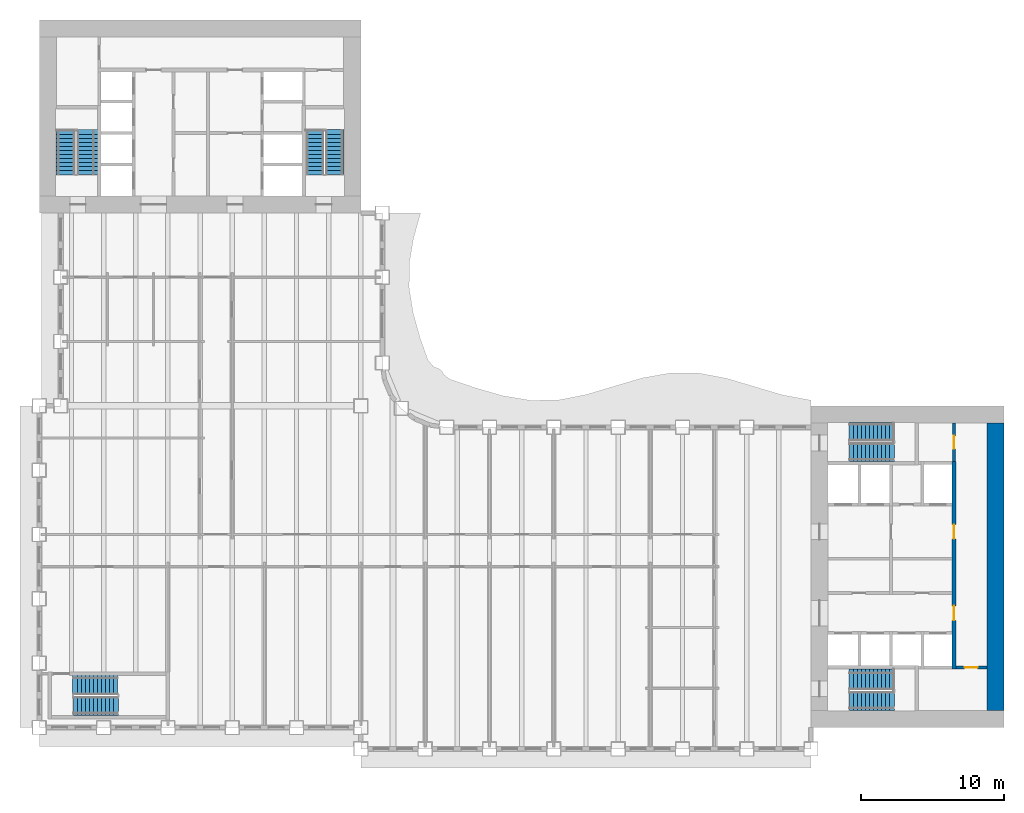
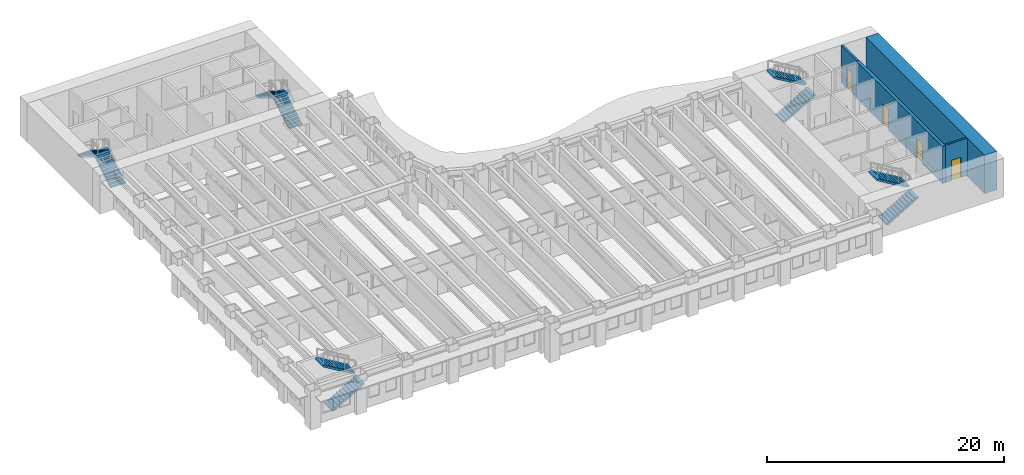
# One storey, part 10 of 16: 10 stair flights, 4 doors, 4 walls, 4 openings, 5 elements without a shape of their own.
"""IFC4 building model written with IfcOpenShell, lengths in metres."""

import ifcopenshell
import ifcopenshell.guid

model = None  # the IFC model being written
_history = None  # IfcOwnerHistory: only IFC2X3 demands one
_inside = {}  # id of a spatial element -> (the spatial element, [elements in it])
_under = {}  # id of a project, library or spatial element -> (it, [spatial elements below it])
_declared = {}  # id of a project -> (the project, [libraries it declares])
_typed = {}  # id of a type object -> (the type object, [elements of that type])
_made_of = {}  # id of a material, layer set ... -> (it, [elements and type objects made of it])


def new_model(schema):
    """Start an empty IFC model of exactly this schema.

    Asked for "IFC4X3", IfcOpenShell would pick the latest addendum, in which some entities
    have other attributes; the version numbers below select the first issue.
    IFC2X3 requires an IfcOwnerHistory on every rooted entity: one is made here for all.
    """
    global model, _history
    if schema == "IFC4X3":
        model = ifcopenshell.file(schema_version=(4, 3, 0, 0))
    else:
        model = ifcopenshell.file(schema=schema)
    _inside.clear()
    _under.clear()
    _declared.clear()
    _typed.clear()
    _made_of.clear()
    _history = None
    if model.schema == "IFC2X3":
        org = make("IfcOrganization", Name="unknown")
        user = make(
            "IfcPersonAndOrganization",
            ThePerson=make("IfcPerson", FamilyName="unknown"),
            TheOrganization=org,
        )
        app = make(
            "IfcApplication",
            ApplicationDeveloper=org,
            Version="unknown",
            ApplicationFullName="unknown",
            ApplicationIdentifier="unknown",
        )
        _history = make(
            "IfcOwnerHistory",
            OwningUser=user,
            OwningApplication=app,
            ChangeAction="ADDED",
            CreationDate=0,
        )
    return model


def make(cls, **values):
    """One entity of the class cls with the attributes given. An attribute that is None is left unset."""
    return model.create_entity(
        cls, **{name: value for name, value in values.items() if value is not None}
    )


def rooted(cls, **values):
    """An entity with a GlobalId (a new one), such as an element, a storey or a relation."""
    return make(cls, GlobalId=ifcopenshell.guid.new(), OwnerHistory=_history, **values)


def si_unit(unit_type, name, prefix=None):
    """IfcSIUnit, for example si_unit("LENGTHUNIT", "METRE", prefix="MILLI")."""
    return make("IfcSIUnit", UnitType=unit_type, Prefix=prefix, Name=name)


def assignment(units):
    """IfcUnitAssignment: the units of a project."""
    return None if units is None else make("IfcUnitAssignment", Units=units)


def point(xyz):
    """IfcCartesianPoint."""
    return None if xyz is None else make("IfcCartesianPoint", Coordinates=xyz)


def direction(xyz):
    """IfcDirection."""
    return None if xyz is None else make("IfcDirection", DirectionRatios=xyz)


def frame(location, z_axis=None, x_axis=None):
    """IfcAxis2Placement3D, a coordinate frame: its origin and axes. An axis left out is left unset."""
    return make(
        "IfcAxis2Placement3D",
        Location=point(location),
        Axis=direction(z_axis),
        RefDirection=direction(x_axis),
    )


def frame_2d(location, x_axis=None):
    """IfcAxis2Placement2D, a coordinate frame in the plane: its origin and x axis."""
    return make(
        "IfcAxis2Placement2D", Location=point(location), RefDirection=direction(x_axis)
    )


def origin():
    """The frame at (0, 0, 0) with its axes left unset."""
    return frame((0.0, 0.0, 0.0))


def place(relative_to, where):
    """IfcLocalPlacement: puts the frame where relative to a parent placement (None: the world)."""
    return make(
        "IfcLocalPlacement", PlacementRelTo=relative_to, RelativePlacement=where
    )


def context(
    kind, dimensions, precision=None, world=None, true_north=None, identifier=None
):
    """IfcGeometricRepresentationContext, for example the 3D "Model" context."""
    return make(
        "IfcGeometricRepresentationContext",
        ContextIdentifier=identifier,
        ContextType=kind,
        CoordinateSpaceDimension=dimensions,
        Precision=precision,
        WorldCoordinateSystem=world,
        TrueNorth=true_north,
    )


def subcontext(parent, identifier, kind, view, scale=None):
    """IfcGeometricRepresentationSubContext, for example "Body" below "Model"."""
    return make(
        "IfcGeometricRepresentationSubContext",
        ContextIdentifier=identifier,
        ContextType=kind,
        ParentContext=parent,
        TargetScale=scale,
        TargetView=view,
    )


def project(units=None, contexts=None):
    """IfcProject with its units and contexts."""
    return rooted(
        "IfcProject",
        Name="project",
        RepresentationContexts=contexts,
        UnitsInContext=assignment(units),
    )


def spatial(cls, under=None, at=None, **own):
    """A site, building, storey or space (cls), placed at a placement, below another one or the project."""
    s = rooted(cls, ObjectPlacement=at, **own)
    if under is not None:
        _under.setdefault(under.id(), (under, []))[1].append(s)
    return s


def polyline(points):
    """IfcPolyline through the points."""
    return make("IfcPolyline", Points=[point(p) for p in points])


def profile(cls, at=None, kind="AREA", **sizes):
    """A parametric profile (cls). Its sizes go by their IFC names, for example OverallWidth=200.0."""
    return make(cls, ProfileType=kind, Position=at, **sizes)


def rectangle(**sizes):
    """IfcRectangleProfileDef."""
    return profile("IfcRectangleProfileDef", **sizes)


def outline(outer, holes=None, kind="AREA"):
    """IfcArbitraryClosedProfileDef: a profile drawn as a closed curve; with holes, ...WithVoids."""
    if holes is None:
        return make("IfcArbitraryClosedProfileDef", ProfileType=kind, OuterCurve=outer)
    return make(
        "IfcArbitraryProfileDefWithVoids",
        ProfileType=kind,
        OuterCurve=outer,
        InnerCurves=holes,
    )


def extrude(swept, where, along, depth):
    """IfcExtrudedAreaSolid: the profile swept, set in the frame where, extruded along a direction by depth."""
    return make(
        "IfcExtrudedAreaSolid",
        SweptArea=swept,
        Position=where,
        ExtrudedDirection=direction(along),
        Depth=depth,
    )


def shape(context_of_items, identifier, shape_type, items):
    """IfcShapeRepresentation: the items that make up one representation, for example the "Body"."""
    return make(
        "IfcShapeRepresentation",
        ContextOfItems=context_of_items,
        RepresentationIdentifier=identifier,
        RepresentationType=shape_type,
        Items=items,
    )


def material(Name=None, Category=None):
    """IfcMaterial."""
    return make("IfcMaterial", Name=Name, Category=Category)


def layer(
    of_material, thickness, ventilated=None, Name=None, Category=None, Priority=None
):
    """IfcMaterialLayer: one layer of a wall or slab, of a material (None: an air gap)."""
    return make(
        "IfcMaterialLayer",
        Material=of_material,
        LayerThickness=thickness,
        IsVentilated=ventilated,
        Name=Name,
        Category=Category,
        Priority=Priority,
    )


def layer_set(layers, Name=None):
    """IfcMaterialLayerSet."""
    return make("IfcMaterialLayerSet", MaterialLayers=layers, LayerSetName=Name)


def made_of(thing, what):
    """Note that an element or type object is made of a material, layer set ...; save() writes the relation."""
    if what is not None:
        _made_of.setdefault(what.id(), (what, []))[1].append(thing)
    return thing


def type_object(cls, material=None, **own):
    """A type object (cls), such as IfcWallType, which elements share."""
    return made_of(rooted(cls, **own), material)


def element(
    cls,
    number,
    at=None,
    inside=None,
    cuts=None,
    type_object=None,
    material=None,
    context=None,
    identifier="Body",
    shape_type=None,
    held_by="IfcProductDefinitionShape",
    body=None,
    shapes=None,
    **own,
):
    """One element of the class cls, such as IfcWall. Its Tag is "e" and its number.

    at: its placement. inside: the storey or other place that contains it. cuts: it is an
    opening in that element (IfcRelVoidsElement). A single representation is given by context,
    identifier, shape_type and body (its items); several are given by shapes. held_by: the class
    of the entity that holds the representations. save() writes the other relations.
    """
    e = rooted(cls, Tag="e%d" % number, ObjectPlacement=at, **own)
    if body is not None:
        shapes = [shape(context, identifier, shape_type, body)]
    if shapes is not None:
        e.Representation = make(held_by, Representations=shapes)
    if inside is not None:
        _inside.setdefault(inside.id(), (inside, []))[1].append(e)
    if cuts is not None:
        rooted(
            "IfcRelVoidsElement", RelatingBuildingElement=cuts, RelatedOpeningElement=e
        )
    if type_object is not None:
        _typed.setdefault(type_object.id(), (type_object, []))[1].append(e)
    return made_of(e, material)


def fill(opening, filler):
    """IfcRelFillsElement: the door or window that sits in an opening."""
    return rooted(
        "IfcRelFillsElement",
        RelatingOpeningElement=opening,
        RelatedBuildingElement=filler,
    )


def aggregate(whole, parts):
    """IfcRelAggregates: a whole, such as a stair, and the parts it consists of."""
    return rooted("IfcRelAggregates", RelatingObject=whole, RelatedObjects=parts)


def save(model, path):
    """Write the relations noted so far, then the file.

    IfcRelAggregates (storeys below a building ...), IfcRelContainedInSpatialStructure (elements
    in a storey), IfcRelDefinesByType, IfcRelAssociatesMaterial and IfcRelDeclares: one each for
    every whole, place, type object, material and project.
    """
    for whole, parts in _under.values():
        aggregate(whole, parts)
    for where, things in _inside.values():
        rooted(
            "IfcRelContainedInSpatialStructure",
            RelatedElements=things,
            RelatingStructure=where,
        )
    for kind, things in _typed.values():
        rooted("IfcRelDefinesByType", RelatedObjects=things, RelatingType=kind)
    for what, things in _made_of.values():
        rooted("IfcRelAssociatesMaterial", RelatedObjects=things, RelatingMaterial=what)
    for by, libraries in _declared.values():
        rooted("IfcRelDeclares", RelatingContext=by, RelatedDefinitions=libraries)
    model.write(path)


model = new_model("IFC4")

# Units and contexts
model_context = context("Model", 3, precision=1e-05, world=origin(), true_north=direction((0.0, 1.0)))
body_context = subcontext(model_context, "Body", "Model", "MODEL_VIEW")
ifc_project = project(units=[si_unit("LENGTHUNIT", "METRE"), si_unit("AREAUNIT", "SQUARE_METRE"), si_unit("VOLUMEUNIT", "CUBIC_METRE"), si_unit("PLANEANGLEUNIT", "RADIAN"), si_unit("MASSUNIT", "GRAM", prefix="KILO")], contexts=[model_context])

# Site, building, storey
site_placement = place(None, origin())
site = spatial("IfcSite", under=ifc_project, at=site_placement, CompositionType="ELEMENT")
building_placement = place(site_placement, origin())
building = spatial("IfcBuilding", under=site, at=building_placement, Name="Sennacour Bend Tower", CompositionType="ELEMENT")
storey_placement = place(building_placement, frame((0.0, 0.0, 87.0)))
storey = spatial("IfcBuildingStorey", under=building, at=storey_placement, Name="L19", CompositionType="ELEMENT", Elevation=87.0)

# Wall
ifc_material_1 = material(Name="Concrete C80/95", Category="concrete")
ifc_layer_1 = layer(ifc_material_1, 1.199951171875, Name="Concrete C80/95", Category="concrete")
ifc_layer_set_1 = layer_set([ifc_layer_1], Name="Concrete C80/95")
wall_type_1 = type_object("IfcWallType", Name="Core wall 1200 C80/95", PredefinedType="SHEAR", material=ifc_layer_set_1)
wall_1_placement = place(storey_placement, frame((66.89990234375, 1.199951171875, -0.14990234375), z_axis=(0.0, 0.0, 1.0), x_axis=(0.0, 1.0, 0.0)))
element("IfcWall", 1, at=wall_1_placement, inside=storey, type_object=wall_type_1, Name="Core A wall L19 E", PredefinedType="SHEAR", context=body_context, shape_type="SweptSolid", body=[
    extrude(rectangle(XDim=20.10009765625, YDim=1.199951171875, at=frame_2d((10.050048828125, 0.0))), origin(), (0.0, 0.0, 1.0), 4.0),
])

# Wall, opening, door
ifc_material_2 = material(Name="Fire-rated plasterboard partition on steel studs", Category="steel")
ifc_layer_2 = layer(ifc_material_2, 0.199951171875, Name="Fire-rated plasterboard partition on steel studs", Category="steel")
ifc_layer_set_2 = layer_set([ifc_layer_2], Name="Fire-rated plasterboard partition on steel studs")
wall_type_2 = type_object("IfcWallType", Name="Rated partition 200", PredefinedType="PARTITIONING", material=ifc_layer_set_2)
wall_2_placement = place(storey_placement, frame((64.0, 18.60009765625, 0.0), z_axis=(0.0, 0.0, 1.0), x_axis=(0.0, 1.0, 0.0)))
wall_2 = element("IfcWall", 2, at=wall_2_placement, inside=storey, type_object=wall_type_2, Name="P-L19-W046", PredefinedType="PARTITIONING", context=body_context, shape_type="SweptSolid", body=[
    extrude(rectangle(XDim=2.699951171875, YDim=0.199951171875, at=frame_2d((1.35009765625, 0.0))), origin(), (0.0, 0.0, 1.0), 3.85009765625),
])
opening_1_placement = place(wall_2_placement, frame((0.89990234375, 0.0, 0.0)))
opening_1 = element("IfcOpeningElement", 3, at=opening_1_placement, cuts=wall_2, Name="Opening SV", PredefinedType="OPENING", context=body_context, shape_type="SweptSolid", body=[
    extrude(rectangle(XDim=0.89990234375, YDim=2.10009765625, at=frame_2d((0.449951171875, 1.050048828125))), frame((0.0, 0.10986328125, 0.0), z_axis=(0.0, -1.0, 0.0), x_axis=(1.0, 0.0, 0.0)), (0.0, 0.0, 1.0), 0.219970703125),
])
ifc_material_3 = material(Name="Painted steel", Category="steel")
door_type_1 = type_object("IfcDoorType", Name="DR-SERVICE-900", OperationType="NOTDEFINED", PredefinedType="DOOR", material=ifc_material_3)
door_1_placement = place(opening_1_placement, origin())
door_1 = element("IfcDoor", 4, at=door_1_placement, inside=storey, type_object=door_type_1, Name="Door", OperationType="SINGLE_SWING_LEFT", OverallHeight=2.10009765625, OverallWidth=0.89990234375, PredefinedType="DOOR", context=body_context, shape_type="SweptSolid", body=[
    extrude(rectangle(XDim=0.89990234375, YDim=2.10009765625, at=frame_2d((0.449951171875, 1.050048828125))), frame((0.0, 0.02490234375, 0.0), z_axis=(0.0, -1.0, 0.0), x_axis=(1.0, 0.0, 0.0)), (0.0, 0.0, 1.0), 0.050048828125),
])
fill(opening_1, door_1)

wall_3_placement = place(storey_placement, frame((64.14990234375, 4.199951171875, 0.0), z_axis=(0.0, 0.0, 1.0), x_axis=(1.0, 0.0, 0.0)))
wall_3 = element("IfcWall", 5, at=wall_3_placement, inside=storey, type_object=wall_type_2, Name="P-L19-W054", PredefinedType="PARTITIONING", context=body_context, shape_type="SweptSolid", body=[
    extrude(rectangle(XDim=2.150146484375, YDim=0.199951171875, at=frame_2d((1.0751953125, 0.0))), origin(), (0.0, 0.0, 1.0), 3.85009765625),
])
opening_2_placement = place(wall_3_placement, frame((0.60009765625, 0.0, 0.0)))
opening_2 = element("IfcOpeningElement", 6, at=opening_2_placement, cuts=wall_3, Name="Opening SV", PredefinedType="OPENING", context=body_context, shape_type="SweptSolid", body=[
    extrude(rectangle(XDim=0.89990234375, YDim=2.10009765625, at=frame_2d((0.449951171875, 1.050048828125))), frame((0.0, 0.10986328125, 0.0), z_axis=(0.0, -1.0, 0.0), x_axis=(1.0, 0.0, 0.0)), (0.0, 0.0, 1.0), 0.219970703125),
])
door_2_placement = place(opening_2_placement, origin())
door_2 = element("IfcDoor", 7, at=door_2_placement, inside=storey, type_object=door_type_1, Name="Door", OperationType="SINGLE_SWING_LEFT", OverallHeight=2.10009765625, OverallWidth=0.89990234375, PredefinedType="DOOR", context=body_context, shape_type="SweptSolid", body=[
    extrude(rectangle(XDim=0.89990234375, YDim=2.10009765625, at=frame_2d((0.449951171875, 1.050048828125))), frame((0.0, 0.02490234375, 0.0), z_axis=(0.0, -1.0, 0.0), x_axis=(1.0, 0.0, 0.0)), (0.0, 0.0, 1.0), 0.050048828125),
])
fill(opening_2, door_2)

# Wall, openings, doors
ifc_material_4 = material(Name="Concrete C60/75", Category="concrete")
ifc_layer_3 = layer(ifc_material_4, 0.300048828125, Name="Concrete C60/75", Category="concrete")
ifc_layer_set_3 = layer_set([ifc_layer_3], Name="Concrete C60/75")
wall_type_3 = type_object("IfcWallType", Name="Spine wall 300", PredefinedType="SHEAR", material=ifc_layer_set_3)
wall_4_placement = place(storey_placement, frame((64.0, 4.10009765625, 0.0), z_axis=(0.0, 0.0, 1.0), x_axis=(0.0, 1.0, 0.0)))
wall_4 = element("IfcWall", 8, at=wall_4_placement, inside=storey, type_object=wall_type_3, Name="P-L19-W045", PredefinedType="SHEAR", context=body_context, shape_type="SweptSolid", body=[
    extrude(rectangle(XDim=14.5, YDim=0.300048828125, at=frame_2d((7.25, 0.0))), origin(), (0.0, 0.0, 1.0), 3.85009765625),
])
opening_3_placement = place(wall_4_placement, frame((3.39990234375, 0.0, 0.0)))
opening_3 = element("IfcOpeningElement", 9, at=opening_3_placement, cuts=wall_4, Name="Opening CD2", PredefinedType="OPENING", context=body_context, shape_type="SweptSolid", body=[
    extrude(rectangle(XDim=1.0, YDim=2.10009765625, at=frame_2d((0.5, 1.050048828125))), frame((0.0, 0.16015625, 0.0), z_axis=(0.0, -1.0, 0.0), x_axis=(1.0, 0.0, 0.0)), (0.0, 0.0, 1.0), 0.320068359375),
])
opening_4_placement = place(wall_4_placement, frame((9.099853515625, 0.0, 0.0)))
opening_4 = element("IfcOpeningElement", 10, at=opening_4_placement, cuts=wall_4, Name="Opening CD2", PredefinedType="OPENING", context=body_context, shape_type="SweptSolid", body=[
    extrude(rectangle(XDim=1.0, YDim=2.10009765625, at=frame_2d((0.5, 1.050048828125))), frame((0.0, 0.16015625, 0.0), z_axis=(0.0, -1.0, 0.0), x_axis=(1.0, 0.0, 0.0)), (0.0, 0.0, 1.0), 0.320068359375),
])
door_type_2 = type_object("IfcDoorType", Name="DR-LOBBY-1000", OperationType="NOTDEFINED", PredefinedType="DOOR", material=ifc_material_3)
door_3_placement = place(opening_3_placement, origin())
door_3 = element("IfcDoor", 11, at=door_3_placement, inside=storey, type_object=door_type_2, Name="Door", OperationType="SINGLE_SWING_LEFT", OverallHeight=2.10009765625, OverallWidth=1.0, PredefinedType="DOOR", context=body_context, shape_type="SweptSolid", body=[
    extrude(rectangle(XDim=1.0, YDim=2.10009765625, at=frame_2d((0.5, 1.050048828125))), frame((0.0, 0.02490234375, 0.0), z_axis=(0.0, -1.0, 0.0), x_axis=(1.0, 0.0, 0.0)), (0.0, 0.0, 1.0), 0.050048828125),
])
fill(opening_3, door_3)
door_4_placement = place(opening_4_placement, origin())
door_4 = element("IfcDoor", 12, at=door_4_placement, inside=storey, type_object=door_type_2, Name="Door", OperationType="SINGLE_SWING_RIGHT", OverallHeight=2.10009765625, OverallWidth=1.0, PredefinedType="DOOR", context=body_context, shape_type="SweptSolid", body=[
    extrude(rectangle(XDim=1.0, YDim=2.10009765625, at=frame_2d((0.5, 1.050048828125))), frame((0.0, 0.02490234375, 0.0), z_axis=(0.0, -1.0, 0.0), x_axis=(1.0, 0.0, 0.0)), (0.0, 0.0, 1.0), 0.050048828125),
])
fill(opening_4, door_4)

# Stair, stair flights
ifc_material_5 = material(Name="Concrete C40/50", Category="concrete")
stair_type = type_object("IfcStairType", Name="ST-DOGLEG", PredefinedType="HALF_TURN_STAIR", material=ifc_material_5)
stair_1_placement = place(storey_placement, origin())
stair_1 = element("IfcStair", 13, at=stair_1_placement, inside=storey, type_object=stair_type, Name="L19 Exit stair A1", PredefinedType="HALF_TURN_STAIR")
stair_flight_type = type_object("IfcStairFlightType", Name="SFL-RC", PredefinedType="STRAIGHT", material=ifc_material_5)
stair_flight_1_placement = place(storey_placement, frame((56.699951171875, 1.8349609375, 0.0), z_axis=(0.0, 0.0, 1.0), x_axis=(1.0, 0.0, 0.0)))
stair_flight_1 = element("IfcStairFlight", 14, at=stair_flight_1_placement, type_object=stair_flight_type, Name="SA1 flight 1", NumberOfRisers=12, NumberOfTreads=11, PredefinedType="STRAIGHT", RiserHeight=0.166666667, TreadLength=0.28, context=body_context, shape_type="SweptSolid", body=[
    extrude(outline(polyline([(0.0, 0.0), (0.0, 0.166748046875), (0.280029296875, 0.166748046875), (0.280029296875, 0.333251953125), (0.56005859375, 0.333251953125), (0.56005859375, 0.5), (0.840087890625, 0.5), (0.840087890625, 0.666748046875), (1.1201171875, 0.666748046875), (1.1201171875, 0.833251953125), (1.39990234375, 0.833251953125), (1.39990234375, 1.0), (1.679931640625, 1.0), (1.679931640625, 1.166748046875), (1.9599609375, 1.166748046875), (1.9599609375, 1.333251953125), (2.239990234375, 1.333251953125), (2.239990234375, 1.5), (2.52001953125, 1.5), (2.52001953125, 1.666748046875), (2.800048828125, 1.666748046875), (2.800048828125, 1.833251953125), (3.080078125, 1.833251953125), (3.139892578125, 1.833251953125), (3.139892578125, 1.658935546875), (3.080078125, 1.658935546875), (0.29296875, 0.0), (0.0, 0.0)])), frame((0.0, 0.6650390625, 0.0), z_axis=(0.0, -1.0, 0.0), x_axis=(1.0, 0.0, 0.0)), (0.0, 0.0, 1.0), 1.330078125),
])
stair_flight_2_placement = place(storey_placement, frame((59.780029296875, 3.37744140625, 2.0), z_axis=(0.0, 0.0, 1.0), x_axis=(-1.0, 0.0, 0.0)))
stair_flight_2 = element("IfcStairFlight", 15, at=stair_flight_2_placement, type_object=stair_flight_type, Name="SA1 flight 2", NumberOfRisers=12, NumberOfTreads=11, PredefinedType="STRAIGHT", RiserHeight=0.166666667, TreadLength=0.28, context=body_context, shape_type="SweptSolid", body=[
    extrude(outline(polyline([(0.0, 0.0), (0.0, 0.166748046875), (0.280029296875, 0.166748046875), (0.280029296875, 0.333251953125), (0.56005859375, 0.333251953125), (0.56005859375, 0.5), (0.840087890625, 0.5), (0.840087890625, 0.666748046875), (1.1201171875, 0.666748046875), (1.1201171875, 0.833251953125), (1.39990234375, 0.833251953125), (1.39990234375, 1.0), (1.679931640625, 1.0), (1.679931640625, 1.166748046875), (1.9599609375, 1.166748046875), (1.9599609375, 1.333251953125), (2.239990234375, 1.333251953125), (2.239990234375, 1.5), (2.52001953125, 1.5), (2.52001953125, 1.666748046875), (2.800048828125, 1.666748046875), (2.800048828125, 1.833251953125), (3.080078125, 1.833251953125), (3.139892578125, 1.833251953125), (3.139892578125, 1.658935546875), (3.080078125, 1.658935546875), (0.29296875, 0.0), (0.0, 0.0)])), frame((0.0, 0.7275390625, 0.0), z_axis=(0.0, -1.0, 0.0), x_axis=(1.0, 0.0, 0.0)), (0.0, 0.0, 1.0), 1.455078125),
])
aggregate(stair_1, [stair_flight_1, stair_flight_2])

stair_2_placement = place(storey_placement, origin())
stair_2 = element("IfcStair", 16, at=stair_2_placement, inside=storey, type_object=stair_type, Name="L19 Exit stair A2", PredefinedType="HALF_TURN_STAIR")
stair_flight_3_placement = place(storey_placement, frame((56.699951171875, 19.24755859375, 0.0), z_axis=(0.0, 0.0, 1.0), x_axis=(1.0, 0.0, 0.0)))
stair_flight_3 = element("IfcStairFlight", 17, at=stair_flight_3_placement, type_object=stair_flight_type, Name="SA2 flight 1", NumberOfRisers=12, NumberOfTreads=11, PredefinedType="STRAIGHT", RiserHeight=0.166666667, TreadLength=0.28, context=body_context, shape_type="SweptSolid", body=[
    extrude(outline(polyline([(0.0, 0.0), (0.0, 0.166748046875), (0.280029296875, 0.166748046875), (0.280029296875, 0.333251953125), (0.56005859375, 0.333251953125), (0.56005859375, 0.5), (0.840087890625, 0.5), (0.840087890625, 0.666748046875), (1.1201171875, 0.666748046875), (1.1201171875, 0.833251953125), (1.39990234375, 0.833251953125), (1.39990234375, 1.0), (1.679931640625, 1.0), (1.679931640625, 1.166748046875), (1.9599609375, 1.166748046875), (1.9599609375, 1.333251953125), (2.239990234375, 1.333251953125), (2.239990234375, 1.5), (2.52001953125, 1.5), (2.52001953125, 1.666748046875), (2.800048828125, 1.666748046875), (2.800048828125, 1.833251953125), (3.080078125, 1.833251953125), (3.139892578125, 1.833251953125), (3.139892578125, 1.658935546875), (3.080078125, 1.658935546875), (0.29296875, 0.0), (0.0, 0.0)])), frame((0.0, 0.65234375, 0.0), z_axis=(0.0, -1.0, 0.0), x_axis=(1.0, 0.0, 0.0)), (0.0, 0.0, 1.0), 1.304931640625),
])
stair_flight_4_placement = place(storey_placement, frame((59.780029296875, 20.68994140625, 2.0), z_axis=(0.0, 0.0, 1.0), x_axis=(-1.0, 0.0, 0.0)))
stair_flight_4 = element("IfcStairFlight", 18, at=stair_flight_4_placement, type_object=stair_flight_type, Name="SA2 flight 2", NumberOfRisers=12, NumberOfTreads=11, PredefinedType="STRAIGHT", RiserHeight=0.166666667, TreadLength=0.28, context=body_context, shape_type="SweptSolid", body=[
    extrude(outline(polyline([(0.0, 0.0), (0.0, 0.166748046875), (0.280029296875, 0.166748046875), (0.280029296875, 0.333251953125), (0.56005859375, 0.333251953125), (0.56005859375, 0.5), (0.840087890625, 0.5), (0.840087890625, 0.666748046875), (1.1201171875, 0.666748046875), (1.1201171875, 0.833251953125), (1.39990234375, 0.833251953125), (1.39990234375, 1.0), (1.679931640625, 1.0), (1.679931640625, 1.166748046875), (1.9599609375, 1.166748046875), (1.9599609375, 1.333251953125), (2.239990234375, 1.333251953125), (2.239990234375, 1.5), (2.52001953125, 1.5), (2.52001953125, 1.666748046875), (2.800048828125, 1.666748046875), (2.800048828125, 1.833251953125), (3.080078125, 1.833251953125), (3.139892578125, 1.833251953125), (3.139892578125, 1.658935546875), (3.080078125, 1.658935546875), (0.29296875, 0.0), (0.0, 0.0)])), frame((0.0, 0.64013671875, 0.0), z_axis=(0.0, -1.0, 0.0), x_axis=(1.0, 0.0, 0.0)), (0.0, 0.0, 1.0), 1.280029296875),
])
aggregate(stair_2, [stair_flight_3, stair_flight_4])

stair_3_placement = place(storey_placement, origin())
stair_3 = element("IfcStair", 19, at=stair_3_placement, inside=storey, type_object=stair_type, Name="L19 Exit stair B1", PredefinedType="HALF_TURN_STAIR")
stair_flight_5_placement = place(storey_placement, frame((3.37744140625, 38.699951171875, 0.0), z_axis=(0.0, 0.0, 1.0), x_axis=(0.0, 1.0, 0.0)))
stair_flight_5 = element("IfcStairFlight", 20, at=stair_flight_5_placement, type_object=stair_flight_type, Name="SB1 flight 1", NumberOfRisers=12, NumberOfTreads=11, PredefinedType="STRAIGHT", RiserHeight=0.166666667, TreadLength=0.28, context=body_context, shape_type="SweptSolid", body=[
    extrude(outline(polyline([(0.0, 0.0), (0.0, 0.166748046875), (0.280029296875, 0.166748046875), (0.280029296875, 0.333251953125), (0.56005859375, 0.333251953125), (0.56005859375, 0.5), (0.840087890625, 0.5), (0.840087890625, 0.666748046875), (1.1201171875, 0.666748046875), (1.1201171875, 0.833251953125), (1.39990234375, 0.833251953125), (1.39990234375, 1.0), (1.679931640625, 1.0), (1.679931640625, 1.166748046875), (1.9599609375, 1.166748046875), (1.9599609375, 1.333251953125), (2.239990234375, 1.333251953125), (2.239990234375, 1.5), (2.52001953125, 1.5), (2.52001953125, 1.666748046875), (2.800048828125, 1.666748046875), (2.800048828125, 1.833251953125), (3.080078125, 1.833251953125), (3.139892578125, 1.833251953125), (3.139892578125, 1.658935546875), (3.080078125, 1.658935546875), (0.29296875, 0.0), (0.0, 0.0)])), frame((0.0, 0.7275390625, 0.0), z_axis=(0.0, -1.0, 0.0), x_axis=(1.0, 0.0, 0.0)), (0.0, 0.0, 1.0), 1.455078125),
])
stair_flight_6_placement = place(storey_placement, frame((1.8349609375, 41.780029296875, 2.0), z_axis=(0.0, 0.0, 1.0), x_axis=(0.0, -1.0, 0.0)))
stair_flight_6 = element("IfcStairFlight", 21, at=stair_flight_6_placement, type_object=stair_flight_type, Name="SB1 flight 2", NumberOfRisers=12, NumberOfTreads=11, PredefinedType="STRAIGHT", RiserHeight=0.166666667, TreadLength=0.28, context=body_context, shape_type="SweptSolid", body=[
    extrude(outline(polyline([(0.0, 0.0), (0.0, 0.166748046875), (0.280029296875, 0.166748046875), (0.280029296875, 0.333251953125), (0.56005859375, 0.333251953125), (0.56005859375, 0.5), (0.840087890625, 0.5), (0.840087890625, 0.666748046875), (1.1201171875, 0.666748046875), (1.1201171875, 0.833251953125), (1.39990234375, 0.833251953125), (1.39990234375, 1.0), (1.679931640625, 1.0), (1.679931640625, 1.166748046875), (1.9599609375, 1.166748046875), (1.9599609375, 1.333251953125), (2.239990234375, 1.333251953125), (2.239990234375, 1.5), (2.52001953125, 1.5), (2.52001953125, 1.666748046875), (2.800048828125, 1.666748046875), (2.800048828125, 1.833251953125), (3.080078125, 1.833251953125), (3.139892578125, 1.833251953125), (3.139892578125, 1.658935546875), (3.080078125, 1.658935546875), (0.29296875, 0.0), (0.0, 0.0)])), frame((0.0, 0.6650390625, 0.0), z_axis=(0.0, -1.0, 0.0), x_axis=(1.0, 0.0, 0.0)), (0.0, 0.0, 1.0), 1.330078125),
])
aggregate(stair_3, [stair_flight_5, stair_flight_6])

stair_4_placement = place(storey_placement, origin())
stair_4 = element("IfcStair", 22, at=stair_4_placement, inside=storey, type_object=stair_type, Name="L19 Exit stair B2", PredefinedType="HALF_TURN_STAIR")
stair_flight_7_placement = place(storey_placement, frame((20.68994140625, 38.699951171875, 0.0), z_axis=(0.0, 0.0, 1.0), x_axis=(0.0, 1.0, 0.0)))
stair_flight_7 = element("IfcStairFlight", 23, at=stair_flight_7_placement, type_object=stair_flight_type, Name="SB2 flight 1", NumberOfRisers=12, NumberOfTreads=11, PredefinedType="STRAIGHT", RiserHeight=0.166666667, TreadLength=0.28, context=body_context, shape_type="SweptSolid", body=[
    extrude(outline(polyline([(0.0, 0.0), (0.0, 0.166748046875), (0.280029296875, 0.166748046875), (0.280029296875, 0.333251953125), (0.56005859375, 0.333251953125), (0.56005859375, 0.5), (0.840087890625, 0.5), (0.840087890625, 0.666748046875), (1.1201171875, 0.666748046875), (1.1201171875, 0.833251953125), (1.39990234375, 0.833251953125), (1.39990234375, 1.0), (1.679931640625, 1.0), (1.679931640625, 1.166748046875), (1.9599609375, 1.166748046875), (1.9599609375, 1.333251953125), (2.239990234375, 1.333251953125), (2.239990234375, 1.5), (2.52001953125, 1.5), (2.52001953125, 1.666748046875), (2.800048828125, 1.666748046875), (2.800048828125, 1.833251953125), (3.080078125, 1.833251953125), (3.139892578125, 1.833251953125), (3.139892578125, 1.658935546875), (3.080078125, 1.658935546875), (0.29296875, 0.0), (0.0, 0.0)])), frame((0.0, 0.64013671875, 0.0), z_axis=(0.0, -1.0, 0.0), x_axis=(1.0, 0.0, 0.0)), (0.0, 0.0, 1.0), 1.280029296875),
])
stair_flight_8_placement = place(storey_placement, frame((19.24755859375, 41.780029296875, 2.0), z_axis=(0.0, 0.0, 1.0), x_axis=(0.0, -1.0, 0.0)))
stair_flight_8 = element("IfcStairFlight", 24, at=stair_flight_8_placement, type_object=stair_flight_type, Name="SB2 flight 2", NumberOfRisers=12, NumberOfTreads=11, PredefinedType="STRAIGHT", RiserHeight=0.166666667, TreadLength=0.28, context=body_context, shape_type="SweptSolid", body=[
    extrude(outline(polyline([(0.0, 0.0), (0.0, 0.166748046875), (0.280029296875, 0.166748046875), (0.280029296875, 0.333251953125), (0.56005859375, 0.333251953125), (0.56005859375, 0.5), (0.840087890625, 0.5), (0.840087890625, 0.666748046875), (1.1201171875, 0.666748046875), (1.1201171875, 0.833251953125), (1.39990234375, 0.833251953125), (1.39990234375, 1.0), (1.679931640625, 1.0), (1.679931640625, 1.166748046875), (1.9599609375, 1.166748046875), (1.9599609375, 1.333251953125), (2.239990234375, 1.333251953125), (2.239990234375, 1.5), (2.52001953125, 1.5), (2.52001953125, 1.666748046875), (2.800048828125, 1.666748046875), (2.800048828125, 1.833251953125), (3.080078125, 1.833251953125), (3.139892578125, 1.833251953125), (3.139892578125, 1.658935546875), (3.080078125, 1.658935546875), (0.29296875, 0.0), (0.0, 0.0)])), frame((0.0, 0.65234375, 0.0), z_axis=(0.0, -1.0, 0.0), x_axis=(1.0, 0.0, 0.0)), (0.0, 0.0, 1.0), 1.304931640625),
])
aggregate(stair_4, [stair_flight_7, stair_flight_8])

stair_5_placement = place(storey_placement, origin())
stair_5 = element("IfcStair", 25, at=stair_5_placement, inside=storey, type_object=stair_type, Name="L19 Exit stair K1", PredefinedType="HALF_TURN_STAIR")
stair_flight_9_placement = place(storey_placement, frame((2.39990234375, 1.485107421875, 0.0), z_axis=(0.0, 0.0, 1.0), x_axis=(1.0, 0.0, 0.0)))
stair_flight_9 = element("IfcStairFlight", 26, at=stair_flight_9_placement, type_object=stair_flight_type, Name="SK1 flight 1", NumberOfRisers=12, NumberOfTreads=11, PredefinedType="STRAIGHT", RiserHeight=0.166666667, TreadLength=0.28, context=body_context, shape_type="SweptSolid", body=[
    extrude(outline(polyline([(0.0, 0.0), (0.0, 0.166748046875), (0.280029296875, 0.166748046875), (0.280029296875, 0.333251953125), (0.56005859375, 0.333251953125), (0.56005859375, 0.5), (0.840087890625, 0.5), (0.840087890625, 0.666748046875), (1.1201171875, 0.666748046875), (1.1201171875, 0.833251953125), (1.39990234375, 0.833251953125), (1.39990234375, 1.0), (1.679931640625, 1.0), (1.679931640625, 1.166748046875), (1.9599609375, 1.166748046875), (1.9599609375, 1.333251953125), (2.239990234375, 1.333251953125), (2.239990234375, 1.5), (2.52001953125, 1.5), (2.52001953125, 1.666748046875), (2.800048828125, 1.666748046875), (2.800048828125, 1.833251953125), (3.080078125, 1.833251953125), (3.139892578125, 1.833251953125), (3.139892578125, 1.658935546875), (3.080078125, 1.658935546875), (0.29296875, 0.0), (0.0, 0.0)])), frame((0.0, 0.6650390625, 0.0), z_axis=(0.0, -1.0, 0.0), x_axis=(1.0, 0.0, 0.0)), (0.0, 0.0, 1.0), 1.330078125),
])
stair_flight_10_placement = place(storey_placement, frame((5.47998046875, 2.9775390625, 2.0), z_axis=(0.0, 0.0, 1.0), x_axis=(-1.0, 0.0, 0.0)))
stair_flight_10 = element("IfcStairFlight", 27, at=stair_flight_10_placement, type_object=stair_flight_type, Name="SK1 flight 2", NumberOfRisers=12, NumberOfTreads=11, PredefinedType="STRAIGHT", RiserHeight=0.166666667, TreadLength=0.28, context=body_context, shape_type="SweptSolid", body=[
    extrude(outline(polyline([(0.0, 0.0), (0.0, 0.166748046875), (0.280029296875, 0.166748046875), (0.280029296875, 0.333251953125), (0.56005859375, 0.333251953125), (0.56005859375, 0.5), (0.840087890625, 0.5), (0.840087890625, 0.666748046875), (1.1201171875, 0.666748046875), (1.1201171875, 0.833251953125), (1.39990234375, 0.833251953125), (1.39990234375, 1.0), (1.679931640625, 1.0), (1.679931640625, 1.166748046875), (1.9599609375, 1.166748046875), (1.9599609375, 1.333251953125), (2.239990234375, 1.333251953125), (2.239990234375, 1.5), (2.52001953125, 1.5), (2.52001953125, 1.666748046875), (2.800048828125, 1.666748046875), (2.800048828125, 1.833251953125), (3.080078125, 1.833251953125), (3.139892578125, 1.833251953125), (3.139892578125, 1.658935546875), (3.080078125, 1.658935546875), (0.29296875, 0.0), (0.0, 0.0)])), frame((0.0, 0.677490234375, 0.0), z_axis=(0.0, -1.0, 0.0), x_axis=(1.0, 0.0, 0.0)), (0.0, 0.0, 1.0), 1.35498046875),
])
aggregate(stair_5, [stair_flight_9, stair_flight_10])

save(model, "model.ifc")
